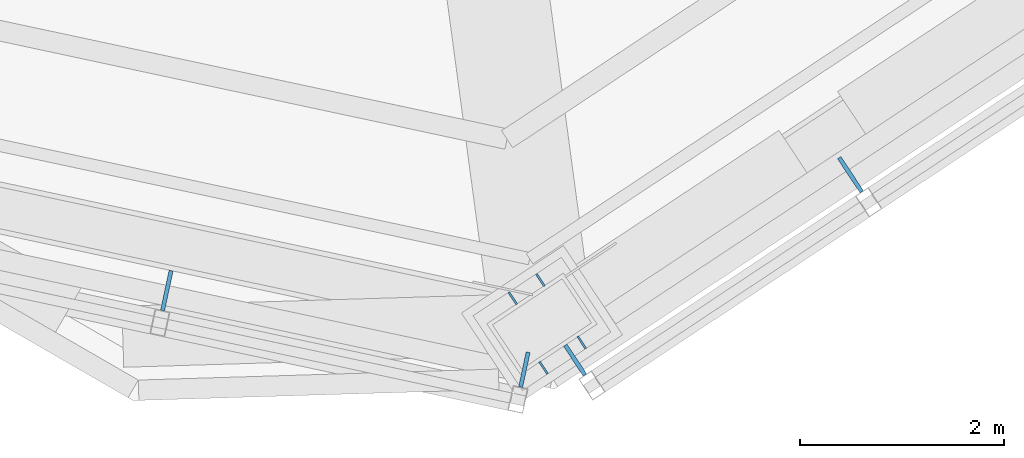
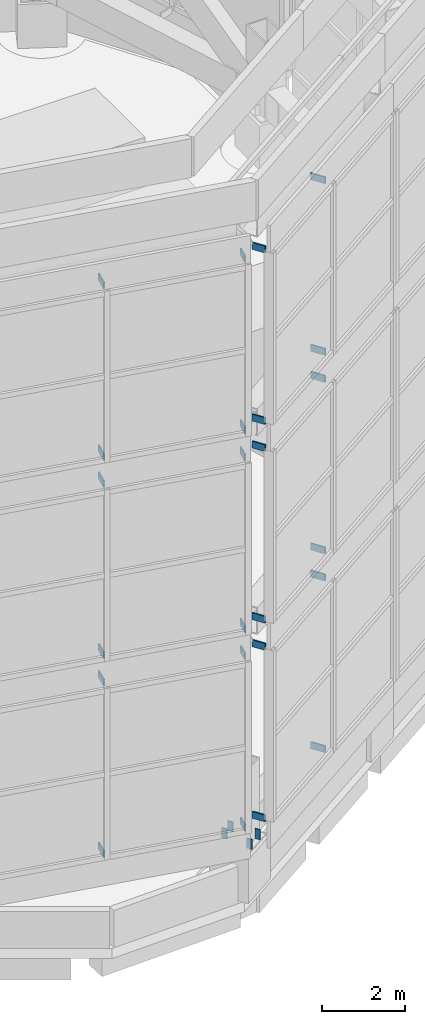
# One storey, part 31 of 46: 28 discrete accessories.
"""IFC4 building model written with IfcOpenShell, lengths in metres."""

from ifc_helpers import new_model, si_unit, direction, frame, origin, origin_2d, place, context, subcontext, project, spatial, rectangle, extrude, material, layer, layer_set, type_object, element, save


model = new_model("IFC4")

# Units and contexts
model_context = context("Model", 3, precision=1e-05, world=origin(), true_north=direction((0.0, 1.0)))
body_context = subcontext(model_context, "Body", "Model", "MODEL_VIEW")
ifc_project = project(units=[si_unit("LENGTHUNIT", "METRE"), si_unit("AREAUNIT", "SQUARE_METRE"), si_unit("VOLUMEUNIT", "CUBIC_METRE"), si_unit("PLANEANGLEUNIT", "RADIAN"), si_unit("MASSUNIT", "GRAM", prefix="KILO")], contexts=[model_context])

# Site, building, storey
site_placement = place(None, origin())
site = spatial("IfcSite", under=ifc_project, at=site_placement, CompositionType="ELEMENT")
building_placement = place(site_placement, origin())
building = spatial("IfcBuilding", under=site, at=building_placement, Name="Vanh Sen Convention Tower", CompositionType="ELEMENT")
storey_placement = place(building_placement, frame((0.0, 0.0, 305.0)))
storey = spatial("IfcBuildingStorey", under=building, at=storey_placement, Name="Roof level", CompositionType="ELEMENT", Elevation=305.0)

# Discrete accessories
ifc_material_1 = material(Name="Steel S355", Category="steel")
ifc_layer = layer(ifc_material_1, 0.02001953125)
ifc_layer_set = layer_set([ifc_layer], Name="Steel S355")
discrete_accessory_type_1 = type_object("IfcDiscreteAccessoryType", Name="Crown base plate stiffener 140 x 300 x 20", PredefinedType="USERDEFINED", material=ifc_layer_set)
for number, where, z_axis, x_axis, name in (
    (1, (2.76318359375, -20.275390625, 1.34521484375), (0.0, 0.0, 1.0), (-0.551936985312, 0.833885822067, 0.0), "STIFFENER crown column 16 rib 1"),
    (2, (2.4921875, -20.45458984375, 1.34521484375), (0.0, 0.0, 1.0), (-0.551936985312, 0.833885822067, 0.0), "STIFFENER crown column 16 rib 2"),
    (3, (3.1689453125, -20.88818359375, 1.34521484375), (0.0, 0.0, 1.0), (-0.551936985312, 0.833885822067, 0.0), "STIFFENER crown column 16 rib 3"),
    (4, (2.793701171875, -21.13671875, 1.34521484375), (0.0, 0.0, 1.0), (-0.551936985312, 0.833885822067, 0.0), "STIFFENER crown column 16 rib 4"),
):
    element("IfcDiscreteAccessory", number, at=place(storey_placement, frame(where, z_axis=z_axis, x_axis=x_axis)), inside=storey, type_object=discrete_accessory_type_1, Name=name, ObjectType="STIFFENER", PredefinedType="USERDEFINED", context=body_context, shape_type="SweptSolid", body=[
        extrude(rectangle(XDim=0.14501953125, YDim=0.02001953125, at=origin_2d()), origin(), (0.0, 0.0, 1.0), 0.300048828125),
    ])
ifc_material_2 = material(Name="Steel S355", Category="steel")
discrete_accessory_type_2 = type_object("IfcDiscreteAccessoryType", Name="Crown screen bracket 40 x 200", PredefinedType="BRACKET", material=ifc_material_2)
discrete_accessory_1_placement = place(storey_placement, frame((-0.902099609375, -20.378662109375, 2.044921875), z_axis=(0.0, 0.0, 1.0), x_axis=(-0.209236278869, -0.977865113196, 0.0)))
element("IfcDiscreteAccessory", 5, at=discrete_accessory_1_placement, inside=storey, type_object=discrete_accessory_type_2, Name="Crown screen bracket 15-1-2", PredefinedType="BRACKET", context=body_context, shape_type="SweptSolid", body=[
    extrude(rectangle(XDim=0.39990234375, YDim=0.0400390625, at=origin_2d()), origin(), (0.0, 0.0, 1.0), 0.199951171875),
])
discrete_accessory_2_placement = place(storey_placement, frame((2.605712890625, -21.15478515625, 2.044921875), z_axis=(0.0, 0.0, 1.0), x_axis=(-0.209236278869, -0.977865113196, 0.0)))
element("IfcDiscreteAccessory", 6, at=discrete_accessory_2_placement, inside=storey, type_object=discrete_accessory_type_2, Name="Crown screen bracket 15-1-3", PredefinedType="BRACKET", context=body_context, shape_type="SweptSolid", body=[
    extrude(rectangle(XDim=0.35009765625, YDim=0.0400390625, at=origin_2d()), origin(), (0.0, 0.0, 1.0), 0.199951171875),
])
discrete_accessory_3_placement = place(storey_placement, frame((-0.902099609375, -20.378662109375, 7.11328125), z_axis=(0.0, 0.0, 1.0), x_axis=(-0.209236278869, -0.977865113196, 0.0)))
element("IfcDiscreteAccessory", 7, at=discrete_accessory_3_placement, inside=storey, type_object=discrete_accessory_type_2, Name="Crown screen bracket 15-1-5", PredefinedType="BRACKET", context=body_context, shape_type="SweptSolid", body=[
    extrude(rectangle(XDim=0.39990234375, YDim=0.0400390625, at=origin_2d()), origin(), (0.0, 0.0, 1.0), 0.199951171875),
])
discrete_accessory_4_placement = place(storey_placement, frame((2.605712890625, -21.15478515625, 7.11328125), z_axis=(0.0, 0.0, 1.0), x_axis=(-0.209236278869, -0.977865113196, 0.0)))
element("IfcDiscreteAccessory", 8, at=discrete_accessory_4_placement, inside=storey, type_object=discrete_accessory_type_2, Name="Crown screen bracket 15-1-6", PredefinedType="BRACKET", context=body_context, shape_type="SweptSolid", body=[
    extrude(rectangle(XDim=0.35009765625, YDim=0.0400390625, at=origin_2d()), origin(), (0.0, 0.0, 1.0), 0.199951171875),
])
discrete_accessory_5_placement = place(storey_placement, frame((-0.902099609375, -20.378662109375, 7.9130859375), z_axis=(0.0, 0.0, 1.0), x_axis=(-0.209236278869, -0.977865113196, 0.0)))
element("IfcDiscreteAccessory", 9, at=discrete_accessory_5_placement, inside=storey, type_object=discrete_accessory_type_2, Name="Crown screen bracket 15-2-2", PredefinedType="BRACKET", context=body_context, shape_type="SweptSolid", body=[
    extrude(rectangle(XDim=0.39990234375, YDim=0.0400390625, at=origin_2d()), origin(), (0.0, 0.0, 1.0), 0.199951171875),
])
discrete_accessory_6_placement = place(storey_placement, frame((2.605712890625, -21.15478515625, 7.9130859375), z_axis=(0.0, 0.0, 1.0), x_axis=(-0.209236278869, -0.977865113196, 0.0)))
element("IfcDiscreteAccessory", 10, at=discrete_accessory_6_placement, inside=storey, type_object=discrete_accessory_type_2, Name="Crown screen bracket 15-2-3", PredefinedType="BRACKET", context=body_context, shape_type="SweptSolid", body=[
    extrude(rectangle(XDim=0.35009765625, YDim=0.0400390625, at=origin_2d()), origin(), (0.0, 0.0, 1.0), 0.199951171875),
])
discrete_accessory_7_placement = place(storey_placement, frame((-0.902099609375, -20.378662109375, 12.98193359375), z_axis=(0.0, 0.0, 1.0), x_axis=(-0.209236278869, -0.977865113196, 0.0)))
element("IfcDiscreteAccessory", 11, at=discrete_accessory_7_placement, inside=storey, type_object=discrete_accessory_type_2, Name="Crown screen bracket 15-2-5", PredefinedType="BRACKET", context=body_context, shape_type="SweptSolid", body=[
    extrude(rectangle(XDim=0.39990234375, YDim=0.0400390625, at=origin_2d()), origin(), (0.0, 0.0, 1.0), 0.199951171875),
])
discrete_accessory_8_placement = place(storey_placement, frame((2.605712890625, -21.15478515625, 12.98193359375), z_axis=(0.0, 0.0, 1.0), x_axis=(-0.209236278869, -0.977865113196, 0.0)))
element("IfcDiscreteAccessory", 12, at=discrete_accessory_8_placement, inside=storey, type_object=discrete_accessory_type_2, Name="Crown screen bracket 15-2-6", PredefinedType="BRACKET", context=body_context, shape_type="SweptSolid", body=[
    extrude(rectangle(XDim=0.35009765625, YDim=0.0400390625, at=origin_2d()), origin(), (0.0, 0.0, 1.0), 0.199951171875),
])
discrete_accessory_9_placement = place(storey_placement, frame((-0.902099609375, -20.378662109375, 13.78173828125), z_axis=(0.0, 0.0, 1.0), x_axis=(-0.209236278869, -0.977865113196, 0.0)))
element("IfcDiscreteAccessory", 13, at=discrete_accessory_9_placement, inside=storey, type_object=discrete_accessory_type_2, Name="Crown screen bracket 15-3-2", PredefinedType="BRACKET", context=body_context, shape_type="SweptSolid", body=[
    extrude(rectangle(XDim=0.39990234375, YDim=0.0400390625, at=origin_2d()), origin(), (0.0, 0.0, 1.0), 0.199951171875),
])
discrete_accessory_10_placement = place(storey_placement, frame((2.605712890625, -21.15478515625, 13.78173828125), z_axis=(0.0, 0.0, 1.0), x_axis=(-0.209236278869, -0.977865113196, 0.0)))
element("IfcDiscreteAccessory", 14, at=discrete_accessory_10_placement, inside=storey, type_object=discrete_accessory_type_2, Name="Crown screen bracket 15-3-3", PredefinedType="BRACKET", context=body_context, shape_type="SweptSolid", body=[
    extrude(rectangle(XDim=0.35009765625, YDim=0.0400390625, at=origin_2d()), origin(), (0.0, 0.0, 1.0), 0.199951171875),
])
discrete_accessory_11_placement = place(storey_placement, frame((-0.902099609375, -20.378662109375, 18.85009765625), z_axis=(0.0, 0.0, 1.0), x_axis=(-0.209236278869, -0.977865113196, 0.0)))
element("IfcDiscreteAccessory", 15, at=discrete_accessory_11_placement, inside=storey, type_object=discrete_accessory_type_2, Name="Crown screen bracket 15-3-5", PredefinedType="BRACKET", context=body_context, shape_type="SweptSolid", body=[
    extrude(rectangle(XDim=0.39990234375, YDim=0.0400390625, at=origin_2d()), origin(), (0.0, 0.0, 1.0), 0.199951171875),
])
for number, where, z_axis, x_axis, name in (
    (16, (2.605712890625, -21.15478515625, 18.85009765625), (0.0, 0.0, 1.0), (-0.209236278869, -0.977865113196, 0.0), "Crown screen bracket 15-3-6"),
    (17, (3.10302734375, -21.060791015625, 2.044921875), (0.0, 0.0, 1.0), (0.551929708264, -0.833890638594, 0.0), "Crown screen bracket 16-1-1"),
):
    element("IfcDiscreteAccessory", number, at=place(storey_placement, frame(where, z_axis=z_axis, x_axis=x_axis)), inside=storey, type_object=discrete_accessory_type_2, Name=name, PredefinedType="BRACKET", context=body_context, shape_type="SweptSolid", body=[
        extrude(rectangle(XDim=0.35009765625, YDim=0.0400390625, at=origin_2d()), origin(), (0.0, 0.0, 1.0), 0.199951171875),
    ])
discrete_accessory_12_placement = place(storey_placement, frame((5.804931640625, -19.242431640625, 2.044921875), z_axis=(0.0, 0.0, 1.0), x_axis=(0.551929708264, -0.833890638594, 0.0)))
element("IfcDiscreteAccessory", 18, at=discrete_accessory_12_placement, inside=storey, type_object=discrete_accessory_type_2, Name="Crown screen bracket 16-1-2", PredefinedType="BRACKET", context=body_context, shape_type="SweptSolid", body=[
    extrude(rectangle(XDim=0.39990234375, YDim=0.0400390625, at=origin_2d()), origin(), (0.0, 0.0, 1.0), 0.199951171875),
])
discrete_accessory_13_placement = place(storey_placement, frame((3.10302734375, -21.060791015625, 7.11328125), z_axis=(0.0, 0.0, 1.0), x_axis=(0.551929708264, -0.833890638594, 0.0)))
element("IfcDiscreteAccessory", 19, at=discrete_accessory_13_placement, inside=storey, type_object=discrete_accessory_type_2, Name="Crown screen bracket 16-1-4", PredefinedType="BRACKET", context=body_context, shape_type="SweptSolid", body=[
    extrude(rectangle(XDim=0.35009765625, YDim=0.0400390625, at=origin_2d()), origin(), (0.0, 0.0, 1.0), 0.199951171875),
])
discrete_accessory_14_placement = place(storey_placement, frame((5.804931640625, -19.242431640625, 7.11328125), z_axis=(0.0, 0.0, 1.0), x_axis=(0.551929708264, -0.833890638594, 0.0)))
element("IfcDiscreteAccessory", 20, at=discrete_accessory_14_placement, inside=storey, type_object=discrete_accessory_type_2, Name="Crown screen bracket 16-1-5", PredefinedType="BRACKET", context=body_context, shape_type="SweptSolid", body=[
    extrude(rectangle(XDim=0.39990234375, YDim=0.0400390625, at=origin_2d()), origin(), (0.0, 0.0, 1.0), 0.199951171875),
])
discrete_accessory_15_placement = place(storey_placement, frame((3.10302734375, -21.060791015625, 7.9130859375), z_axis=(0.0, 0.0, 1.0), x_axis=(0.551929708264, -0.833890638594, 0.0)))
element("IfcDiscreteAccessory", 21, at=discrete_accessory_15_placement, inside=storey, type_object=discrete_accessory_type_2, Name="Crown screen bracket 16-2-1", PredefinedType="BRACKET", context=body_context, shape_type="SweptSolid", body=[
    extrude(rectangle(XDim=0.35009765625, YDim=0.0400390625, at=origin_2d()), origin(), (0.0, 0.0, 1.0), 0.199951171875),
])
discrete_accessory_16_placement = place(storey_placement, frame((5.804931640625, -19.242431640625, 7.9130859375), z_axis=(0.0, 0.0, 1.0), x_axis=(0.551929708264, -0.833890638594, 0.0)))
element("IfcDiscreteAccessory", 22, at=discrete_accessory_16_placement, inside=storey, type_object=discrete_accessory_type_2, Name="Crown screen bracket 16-2-2", PredefinedType="BRACKET", context=body_context, shape_type="SweptSolid", body=[
    extrude(rectangle(XDim=0.39990234375, YDim=0.0400390625, at=origin_2d()), origin(), (0.0, 0.0, 1.0), 0.199951171875),
])
discrete_accessory_17_placement = place(storey_placement, frame((3.10302734375, -21.060791015625, 12.98193359375), z_axis=(0.0, 0.0, 1.0), x_axis=(0.551929708264, -0.833890638594, 0.0)))
element("IfcDiscreteAccessory", 23, at=discrete_accessory_17_placement, inside=storey, type_object=discrete_accessory_type_2, Name="Crown screen bracket 16-2-4", PredefinedType="BRACKET", context=body_context, shape_type="SweptSolid", body=[
    extrude(rectangle(XDim=0.35009765625, YDim=0.0400390625, at=origin_2d()), origin(), (0.0, 0.0, 1.0), 0.199951171875),
])
discrete_accessory_18_placement = place(storey_placement, frame((5.804931640625, -19.242431640625, 12.98193359375), z_axis=(0.0, 0.0, 1.0), x_axis=(0.551929708264, -0.833890638594, 0.0)))
element("IfcDiscreteAccessory", 24, at=discrete_accessory_18_placement, inside=storey, type_object=discrete_accessory_type_2, Name="Crown screen bracket 16-2-5", PredefinedType="BRACKET", context=body_context, shape_type="SweptSolid", body=[
    extrude(rectangle(XDim=0.39990234375, YDim=0.0400390625, at=origin_2d()), origin(), (0.0, 0.0, 1.0), 0.199951171875),
])
discrete_accessory_19_placement = place(storey_placement, frame((3.10302734375, -21.060791015625, 13.78173828125), z_axis=(0.0, 0.0, 1.0), x_axis=(0.551929708264, -0.833890638594, 0.0)))
element("IfcDiscreteAccessory", 25, at=discrete_accessory_19_placement, inside=storey, type_object=discrete_accessory_type_2, Name="Crown screen bracket 16-3-1", PredefinedType="BRACKET", context=body_context, shape_type="SweptSolid", body=[
    extrude(rectangle(XDim=0.35009765625, YDim=0.0400390625, at=origin_2d()), origin(), (0.0, 0.0, 1.0), 0.199951171875),
])
discrete_accessory_20_placement = place(storey_placement, frame((5.804931640625, -19.242431640625, 13.78173828125), z_axis=(0.0, 0.0, 1.0), x_axis=(0.551929708264, -0.833890638594, 0.0)))
element("IfcDiscreteAccessory", 26, at=discrete_accessory_20_placement, inside=storey, type_object=discrete_accessory_type_2, Name="Crown screen bracket 16-3-2", PredefinedType="BRACKET", context=body_context, shape_type="SweptSolid", body=[
    extrude(rectangle(XDim=0.39990234375, YDim=0.0400390625, at=origin_2d()), origin(), (0.0, 0.0, 1.0), 0.199951171875),
])
discrete_accessory_21_placement = place(storey_placement, frame((3.10302734375, -21.060791015625, 18.85009765625), z_axis=(0.0, 0.0, 1.0), x_axis=(0.551929708264, -0.833890638594, 0.0)))
element("IfcDiscreteAccessory", 27, at=discrete_accessory_21_placement, inside=storey, type_object=discrete_accessory_type_2, Name="Crown screen bracket 16-3-4", PredefinedType="BRACKET", context=body_context, shape_type="SweptSolid", body=[
    extrude(rectangle(XDim=0.35009765625, YDim=0.0400390625, at=origin_2d()), origin(), (0.0, 0.0, 1.0), 0.199951171875),
])
discrete_accessory_22_placement = place(storey_placement, frame((5.804931640625, -19.242431640625, 18.85009765625), z_axis=(0.0, 0.0, 1.0), x_axis=(0.551929708264, -0.833890638594, 0.0)))
element("IfcDiscreteAccessory", 28, at=discrete_accessory_22_placement, inside=storey, type_object=discrete_accessory_type_2, Name="Crown screen bracket 16-3-5", PredefinedType="BRACKET", context=body_context, shape_type="SweptSolid", body=[
    extrude(rectangle(XDim=0.39990234375, YDim=0.0400390625, at=origin_2d()), origin(), (0.0, 0.0, 1.0), 0.199951171875),
])

save(model, "model.ifc")
